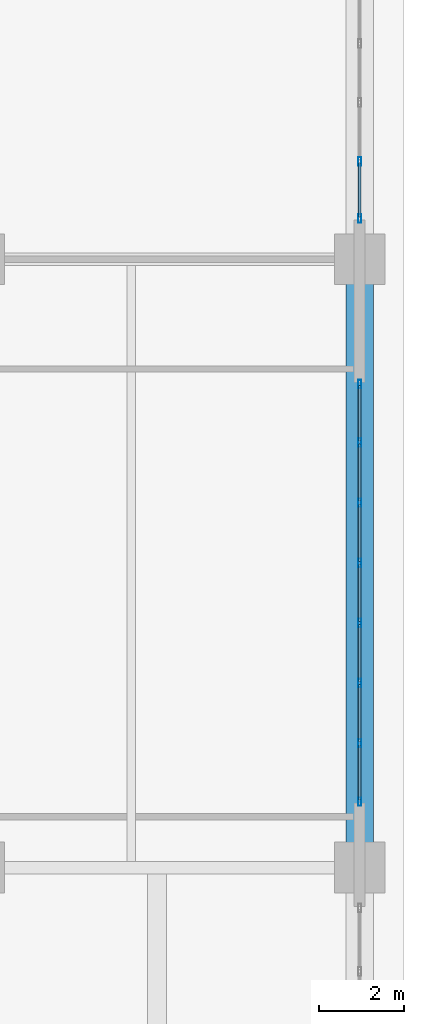
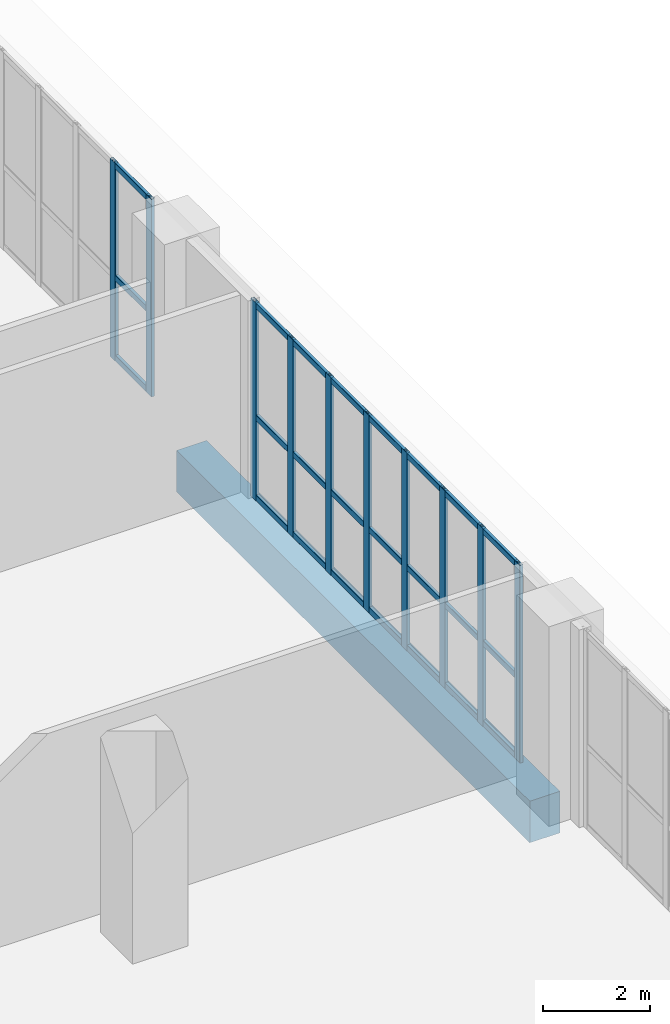
# One storey, part 22 of 37: 34 members, 1 beam, 2 elements without a shape of their own.
"""IFC4 building model written with IfcOpenShell, lengths in metres."""

from ifc_helpers import new_model, si_unit, direction, frame, origin, origin_2d, place, context, subcontext, project, spatial, rectangle, hollow_rectangle, extrude, material, layer, layer_set, material_profile, profile_set, type_object, element, aggregate, save


model = new_model("IFC4")

# Units and contexts
model_context = context("Model", 3, precision=1e-05, world=origin(), true_north=direction((0.0, 1.0)))
body_context = subcontext(model_context, "Body", "Model", "MODEL_VIEW")
ifc_project = project(units=[si_unit("LENGTHUNIT", "METRE"), si_unit("AREAUNIT", "SQUARE_METRE"), si_unit("VOLUMEUNIT", "CUBIC_METRE"), si_unit("PLANEANGLEUNIT", "RADIAN"), si_unit("MASSUNIT", "GRAM", prefix="KILO")], contexts=[model_context])

# Site, building, storey
site_placement = place(None, origin())
site = spatial("IfcSite", under=ifc_project, at=site_placement, CompositionType="ELEMENT")
building_placement = place(site_placement, origin())
building = spatial("IfcBuilding", under=site, at=building_placement, Name="Kaelvorn Grand Hotel", CompositionType="ELEMENT")
storey_placement = place(building_placement, frame((0.0, 0.0, 130.550048828125)))
storey = spatial("IfcBuildingStorey", under=building, at=storey_placement, Name="L31", CompositionType="ELEMENT", Elevation=130.550048828125)

# Beam
ifc_material_1 = material(Name="Concrete C60/75", Category="concrete")
ifc_material_profile_1 = material_profile(ifc_material_1, rectangle(XDim=0.64990234375, YDim=0.949951171875, at=origin_2d()), Name="RC SPANDREL 650x950")
ifc_profile_set_1 = profile_set([ifc_material_profile_1], Name="Concrete C60/75")
beam_type = type_object("IfcBeamType", Name="BM-SP-650x950-C60", PredefinedType="SPANDREL", material=ifc_profile_set_1)
beam_placement = place(storey_placement, frame((84.0, 15.5849609375, -0.715087890625), z_axis=(0.0, 1.0, 0.0), x_axis=(-1.0, 0.0, 0.0)))
element("IfcBeam", 1, at=beam_placement, inside=storey, type_object=beam_type, Name="L31 East Perimeter Spandrel 02", PredefinedType="SPANDREL", context=body_context, shape_type="SweptSolid", body=[
    extrude(rectangle(XDim=0.64990234375, YDim=0.949951171875, at=origin_2d()), origin(), (0.0, 0.0, 1.0), 13.22998046875),
])

# Curtain wall, members
ifc_material_2 = material(Name="Anodised Aluminium", Category="aluminium")
ifc_layer = layer(ifc_material_2, 0.199951171875)
ifc_layer_set = layer_set([ifc_layer], Name="Anodised Aluminium")
curtain_wall_type = type_object("IfcCurtainWallType", Name="CW-SYS3", PredefinedType="NOTDEFINED", material=ifc_layer_set)
curtain_wall_1_placement = place(storey_placement, origin())
curtain_wall_1 = element("IfcCurtainWall", 2, at=curtain_wall_1_placement, inside=storey, type_object=curtain_wall_type, Name="L31 Unitised Curtain Wall CW3 (CW-L31-E-02)", PredefinedType="NOTDEFINED")
ifc_material_profile_2 = material_profile(ifc_material_2, hollow_rectangle(XDim=0.074951171875, YDim=0.199951171875, WallThickness=0.00390625, InnerFilletRadius=0.00390625, OuterFilletRadius=0.008056640625, at=origin_2d()), Name="ALU MULL 75x200")
ifc_profile_set_2 = profile_set([ifc_material_profile_2], Name="Anodised Aluminium")
member_type_1 = type_object("IfcMemberType", Name="CW-SYS3-MULL", PredefinedType="MULLION", material=ifc_profile_set_2)
member_1_placement = place(storey_placement, frame((84.0, 16.5576171875, 0.0), z_axis=(0.0, 0.0, 1.0), x_axis=(-1.0, 0.0, 0.0)))
member_1 = element("IfcMember", 3, at=member_1_placement, type_object=member_type_1, Name="CW3 mullion 1", PredefinedType="MULLION", context=body_context, shape_type="SweptSolid", body=[
    extrude(hollow_rectangle(XDim=0.074951171875, YDim=0.199951171875, WallThickness=0.00390625, InnerFilletRadius=0.00390625, OuterFilletRadius=0.008056640625, at=origin_2d()), origin(), (0.0, 0.0, 1.0), 4.52001953125),
])
member_2_placement = place(storey_placement, frame((84.0, 17.94287109375, 0.0), z_axis=(0.0, 0.0, 1.0), x_axis=(-1.0, 0.0, 0.0)))
member_2 = element("IfcMember", 4, at=member_2_placement, type_object=member_type_1, Name="CW3 mullion 2", PredefinedType="MULLION", context=body_context, shape_type="SweptSolid", body=[
    extrude(hollow_rectangle(XDim=0.074951171875, YDim=0.199951171875, WallThickness=0.00390625, InnerFilletRadius=0.00390625, OuterFilletRadius=0.008056640625, at=origin_2d()), origin(), (0.0, 0.0, 1.0), 4.52001953125),
])
member_3_placement = place(storey_placement, frame((84.0, 19.36572265625, 0.0), z_axis=(0.0, 0.0, 1.0), x_axis=(-1.0, 0.0, 0.0)))
member_3 = element("IfcMember", 5, at=member_3_placement, type_object=member_type_1, Name="CW3 mullion 3", PredefinedType="MULLION", context=body_context, shape_type="SweptSolid", body=[
    extrude(hollow_rectangle(XDim=0.074951171875, YDim=0.199951171875, WallThickness=0.00390625, InnerFilletRadius=0.00390625, OuterFilletRadius=0.008056640625, at=origin_2d()), origin(), (0.0, 0.0, 1.0), 4.52001953125),
])
member_4_placement = place(storey_placement, frame((84.0, 20.78857421875, 0.0), z_axis=(0.0, 0.0, 1.0), x_axis=(-1.0, 0.0, 0.0)))
member_4 = element("IfcMember", 6, at=member_4_placement, type_object=member_type_1, Name="CW3 mullion 4", PredefinedType="MULLION", context=body_context, shape_type="SweptSolid", body=[
    extrude(hollow_rectangle(XDim=0.074951171875, YDim=0.199951171875, WallThickness=0.00390625, InnerFilletRadius=0.00390625, OuterFilletRadius=0.008056640625, at=origin_2d()), origin(), (0.0, 0.0, 1.0), 4.52001953125),
])
member_5_placement = place(storey_placement, frame((84.0, 22.21142578125, 0.0), z_axis=(0.0, 0.0, 1.0), x_axis=(-1.0, 0.0, 0.0)))
member_5 = element("IfcMember", 7, at=member_5_placement, type_object=member_type_1, Name="CW3 mullion 5", PredefinedType="MULLION", context=body_context, shape_type="SweptSolid", body=[
    extrude(hollow_rectangle(XDim=0.074951171875, YDim=0.199951171875, WallThickness=0.00390625, InnerFilletRadius=0.00390625, OuterFilletRadius=0.008056640625, at=origin_2d()), origin(), (0.0, 0.0, 1.0), 4.52001953125),
])
member_6_placement = place(storey_placement, frame((84.0, 23.63427734375, 0.0), z_axis=(0.0, 0.0, 1.0), x_axis=(-1.0, 0.0, 0.0)))
member_6 = element("IfcMember", 8, at=member_6_placement, type_object=member_type_1, Name="CW3 mullion 6", PredefinedType="MULLION", context=body_context, shape_type="SweptSolid", body=[
    extrude(hollow_rectangle(XDim=0.074951171875, YDim=0.199951171875, WallThickness=0.00390625, InnerFilletRadius=0.00390625, OuterFilletRadius=0.008056640625, at=origin_2d()), origin(), (0.0, 0.0, 1.0), 4.52001953125),
])
member_7_placement = place(storey_placement, frame((84.0, 25.05712890625, 0.0), z_axis=(0.0, 0.0, 1.0), x_axis=(-1.0, 0.0, 0.0)))
member_7 = element("IfcMember", 9, at=member_7_placement, type_object=member_type_1, Name="CW3 mullion 7", PredefinedType="MULLION", context=body_context, shape_type="SweptSolid", body=[
    extrude(hollow_rectangle(XDim=0.074951171875, YDim=0.199951171875, WallThickness=0.00390625, InnerFilletRadius=0.00390625, OuterFilletRadius=0.008056640625, at=origin_2d()), origin(), (0.0, 0.0, 1.0), 4.52001953125),
])
member_8_placement = place(storey_placement, frame((84.0, 26.4423828125, 0.0), z_axis=(0.0, 0.0, 1.0), x_axis=(-1.0, 0.0, 0.0)))
member_8 = element("IfcMember", 10, at=member_8_placement, type_object=member_type_1, Name="CW3 mullion 8", PredefinedType="MULLION", context=body_context, shape_type="SweptSolid", body=[
    extrude(hollow_rectangle(XDim=0.074951171875, YDim=0.199951171875, WallThickness=0.00390625, InnerFilletRadius=0.00390625, OuterFilletRadius=0.008056640625, at=origin_2d()), origin(), (0.0, 0.0, 1.0), 4.52001953125),
])

curtain_wall_2_placement = place(storey_placement, origin())
curtain_wall_2 = element("IfcCurtainWall", 11, at=curtain_wall_2_placement, inside=storey, type_object=curtain_wall_type, Name="L31 Unitised Curtain Wall CW3 (CW-L31-E-03)", PredefinedType="NOTDEFINED")
member_9_placement = place(storey_placement, frame((84.0, 30.357421875, 0.0), z_axis=(0.0, 0.0, 1.0), x_axis=(-1.0, 0.0, 0.0)))
member_9 = element("IfcMember", 12, at=member_9_placement, type_object=member_type_1, Name="CW3 mullion 1", PredefinedType="MULLION", context=body_context, shape_type="SweptSolid", body=[
    extrude(hollow_rectangle(XDim=0.074951171875, YDim=0.199951171875, WallThickness=0.00390625, InnerFilletRadius=0.00390625, OuterFilletRadius=0.008056640625, at=origin_2d()), origin(), (0.0, 0.0, 1.0), 4.52001953125),
])
member_10_placement = place(storey_placement, frame((84.0, 31.71337890625, 0.0), z_axis=(0.0, 0.0, 1.0), x_axis=(-1.0, 0.0, 0.0)))
member_10 = element("IfcMember", 13, at=member_10_placement, type_object=member_type_1, Name="CW3 mullion 2", PredefinedType="MULLION", context=body_context, shape_type="SweptSolid", body=[
    extrude(hollow_rectangle(XDim=0.074951171875, YDim=0.199951171875, WallThickness=0.00390625, InnerFilletRadius=0.00390625, OuterFilletRadius=0.008056640625, at=origin_2d()), origin(), (0.0, 0.0, 1.0), 4.52001953125),
])

# Member
ifc_material_profile_3 = material_profile(ifc_material_2, hollow_rectangle(XDim=0.070068359375, YDim=0.135009765625, WallThickness=0.00341796875, InnerFilletRadius=0.00341796875, OuterFilletRadius=0.007080078125, at=origin_2d()), Name="ALU TRAN 70x135")
ifc_profile_set_3 = profile_set([ifc_material_profile_3], Name="Anodised Aluminium")
member_type_2 = type_object("IfcMemberType", Name="CW-SYS3-TRAN", PredefinedType="NOTDEFINED", material=ifc_profile_set_3)
member_11_placement = place(storey_placement, frame((84.0, 16.594970703125, 0.0673828125), z_axis=(0.0, 1.0, 0.0), x_axis=(-1.0, 0.0, 0.0)))
member_11 = element("IfcMember", 14, at=member_11_placement, type_object=member_type_2, Name="CW3 transom 1.1", ObjectType="TRANSOM", PredefinedType="USERDEFINED", context=body_context, shape_type="SweptSolid", body=[
    extrude(hollow_rectangle(XDim=0.070068359375, YDim=0.135009765625, WallThickness=0.00341796875, InnerFilletRadius=0.00341796875, OuterFilletRadius=0.007080078125, at=origin_2d()), origin(), (0.0, 0.0, 1.0), 1.310302734375),
])

member_12_placement = place(storey_placement, frame((84.0, 16.594970703125, 1.8984375), z_axis=(0.0, 1.0, 0.0), x_axis=(-1.0, 0.0, 0.0)))
member_12 = element("IfcMember", 15, at=member_12_placement, type_object=member_type_2, Name="CW3 transom 1.2", ObjectType="TRANSOM", PredefinedType="USERDEFINED", context=body_context, shape_type="SweptSolid", body=[
    extrude(hollow_rectangle(XDim=0.070068359375, YDim=0.135009765625, WallThickness=0.00341796875, InnerFilletRadius=0.00341796875, OuterFilletRadius=0.007080078125, at=origin_2d()), origin(), (0.0, 0.0, 1.0), 1.310302734375),
])

member_13_placement = place(storey_placement, frame((84.0, 16.594970703125, 4.452392578125), z_axis=(0.0, 1.0, 0.0), x_axis=(-1.0, 0.0, 0.0)))
member_13 = element("IfcMember", 16, at=member_13_placement, type_object=member_type_2, Name="CW3 transom 1.3", ObjectType="TRANSOM", PredefinedType="USERDEFINED", context=body_context, shape_type="SweptSolid", body=[
    extrude(hollow_rectangle(XDim=0.070068359375, YDim=0.135009765625, WallThickness=0.00341796875, InnerFilletRadius=0.00341796875, OuterFilletRadius=0.007080078125, at=origin_2d()), origin(), (0.0, 0.0, 1.0), 1.310302734375),
])

member_14_placement = place(storey_placement, frame((84.0, 17.98046875, 0.0673828125), z_axis=(0.0, 1.0, 0.0), x_axis=(-1.0, 0.0, 0.0)))
member_14 = element("IfcMember", 17, at=member_14_placement, type_object=member_type_2, Name="CW3 transom 2.1", ObjectType="TRANSOM", PredefinedType="USERDEFINED", context=body_context, shape_type="SweptSolid", body=[
    extrude(hollow_rectangle(XDim=0.070068359375, YDim=0.135009765625, WallThickness=0.00341796875, InnerFilletRadius=0.00341796875, OuterFilletRadius=0.007080078125, at=origin_2d()), origin(), (0.0, 0.0, 1.0), 1.34765625),
])

member_15_placement = place(storey_placement, frame((84.0, 17.98046875, 1.8984375), z_axis=(0.0, 1.0, 0.0), x_axis=(-1.0, 0.0, 0.0)))
member_15 = element("IfcMember", 18, at=member_15_placement, type_object=member_type_2, Name="CW3 transom 2.2", ObjectType="TRANSOM", PredefinedType="USERDEFINED", context=body_context, shape_type="SweptSolid", body=[
    extrude(hollow_rectangle(XDim=0.070068359375, YDim=0.135009765625, WallThickness=0.00341796875, InnerFilletRadius=0.00341796875, OuterFilletRadius=0.007080078125, at=origin_2d()), origin(), (0.0, 0.0, 1.0), 1.34765625),
])

member_16_placement = place(storey_placement, frame((84.0, 17.98046875, 4.452392578125), z_axis=(0.0, 1.0, 0.0), x_axis=(-1.0, 0.0, 0.0)))
member_16 = element("IfcMember", 19, at=member_16_placement, type_object=member_type_2, Name="CW3 transom 2.3", ObjectType="TRANSOM", PredefinedType="USERDEFINED", context=body_context, shape_type="SweptSolid", body=[
    extrude(hollow_rectangle(XDim=0.070068359375, YDim=0.135009765625, WallThickness=0.00341796875, InnerFilletRadius=0.00341796875, OuterFilletRadius=0.007080078125, at=origin_2d()), origin(), (0.0, 0.0, 1.0), 1.34765625),
])

member_17_placement = place(storey_placement, frame((84.0, 19.4033203125, 0.0673828125), z_axis=(0.0, 1.0, 0.0), x_axis=(-1.0, 0.0, 0.0)))
member_17 = element("IfcMember", 20, at=member_17_placement, type_object=member_type_2, Name="CW3 transom 3.1", ObjectType="TRANSOM", PredefinedType="USERDEFINED", context=body_context, shape_type="SweptSolid", body=[
    extrude(hollow_rectangle(XDim=0.070068359375, YDim=0.135009765625, WallThickness=0.00341796875, InnerFilletRadius=0.00341796875, OuterFilletRadius=0.007080078125, at=origin_2d()), origin(), (0.0, 0.0, 1.0), 1.34765625),
])

member_18_placement = place(storey_placement, frame((84.0, 19.4033203125, 1.8984375), z_axis=(0.0, 1.0, 0.0), x_axis=(-1.0, 0.0, 0.0)))
member_18 = element("IfcMember", 21, at=member_18_placement, type_object=member_type_2, Name="CW3 transom 3.2", ObjectType="TRANSOM", PredefinedType="USERDEFINED", context=body_context, shape_type="SweptSolid", body=[
    extrude(hollow_rectangle(XDim=0.070068359375, YDim=0.135009765625, WallThickness=0.00341796875, InnerFilletRadius=0.00341796875, OuterFilletRadius=0.007080078125, at=origin_2d()), origin(), (0.0, 0.0, 1.0), 1.34765625),
])

member_19_placement = place(storey_placement, frame((84.0, 19.4033203125, 4.452392578125), z_axis=(0.0, 1.0, 0.0), x_axis=(-1.0, 0.0, 0.0)))
member_19 = element("IfcMember", 22, at=member_19_placement, type_object=member_type_2, Name="CW3 transom 3.3", ObjectType="TRANSOM", PredefinedType="USERDEFINED", context=body_context, shape_type="SweptSolid", body=[
    extrude(hollow_rectangle(XDim=0.070068359375, YDim=0.135009765625, WallThickness=0.00341796875, InnerFilletRadius=0.00341796875, OuterFilletRadius=0.007080078125, at=origin_2d()), origin(), (0.0, 0.0, 1.0), 1.34765625),
])

member_20_placement = place(storey_placement, frame((84.0, 20.826171875, 0.0673828125), z_axis=(0.0, 1.0, 0.0), x_axis=(-1.0, 0.0, 0.0)))
member_20 = element("IfcMember", 23, at=member_20_placement, type_object=member_type_2, Name="CW3 transom 4.1", ObjectType="TRANSOM", PredefinedType="USERDEFINED", context=body_context, shape_type="SweptSolid", body=[
    extrude(hollow_rectangle(XDim=0.070068359375, YDim=0.135009765625, WallThickness=0.00341796875, InnerFilletRadius=0.00341796875, OuterFilletRadius=0.007080078125, at=origin_2d()), origin(), (0.0, 0.0, 1.0), 1.34765625),
])

member_21_placement = place(storey_placement, frame((84.0, 20.826171875, 1.8984375), z_axis=(0.0, 1.0, 0.0), x_axis=(-1.0, 0.0, 0.0)))
member_21 = element("IfcMember", 24, at=member_21_placement, type_object=member_type_2, Name="CW3 transom 4.2", ObjectType="TRANSOM", PredefinedType="USERDEFINED", context=body_context, shape_type="SweptSolid", body=[
    extrude(hollow_rectangle(XDim=0.070068359375, YDim=0.135009765625, WallThickness=0.00341796875, InnerFilletRadius=0.00341796875, OuterFilletRadius=0.007080078125, at=origin_2d()), origin(), (0.0, 0.0, 1.0), 1.34765625),
])

member_22_placement = place(storey_placement, frame((84.0, 20.826171875, 4.452392578125), z_axis=(0.0, 1.0, 0.0), x_axis=(-1.0, 0.0, 0.0)))
member_22 = element("IfcMember", 25, at=member_22_placement, type_object=member_type_2, Name="CW3 transom 4.3", ObjectType="TRANSOM", PredefinedType="USERDEFINED", context=body_context, shape_type="SweptSolid", body=[
    extrude(hollow_rectangle(XDim=0.070068359375, YDim=0.135009765625, WallThickness=0.00341796875, InnerFilletRadius=0.00341796875, OuterFilletRadius=0.007080078125, at=origin_2d()), origin(), (0.0, 0.0, 1.0), 1.34765625),
])

member_23_placement = place(storey_placement, frame((84.0, 22.2490234375, 0.0673828125), z_axis=(0.0, 1.0, 0.0), x_axis=(-1.0, 0.0, 0.0)))
member_23 = element("IfcMember", 26, at=member_23_placement, type_object=member_type_2, Name="CW3 transom 5.1", ObjectType="TRANSOM", PredefinedType="USERDEFINED", context=body_context, shape_type="SweptSolid", body=[
    extrude(hollow_rectangle(XDim=0.070068359375, YDim=0.135009765625, WallThickness=0.00341796875, InnerFilletRadius=0.00341796875, OuterFilletRadius=0.007080078125, at=origin_2d()), origin(), (0.0, 0.0, 1.0), 1.34765625),
])

member_24_placement = place(storey_placement, frame((84.0, 22.2490234375, 1.8984375), z_axis=(0.0, 1.0, 0.0), x_axis=(-1.0, 0.0, 0.0)))
member_24 = element("IfcMember", 27, at=member_24_placement, type_object=member_type_2, Name="CW3 transom 5.2", ObjectType="TRANSOM", PredefinedType="USERDEFINED", context=body_context, shape_type="SweptSolid", body=[
    extrude(hollow_rectangle(XDim=0.070068359375, YDim=0.135009765625, WallThickness=0.00341796875, InnerFilletRadius=0.00341796875, OuterFilletRadius=0.007080078125, at=origin_2d()), origin(), (0.0, 0.0, 1.0), 1.34765625),
])

member_25_placement = place(storey_placement, frame((84.0, 22.2490234375, 4.452392578125), z_axis=(0.0, 1.0, 0.0), x_axis=(-1.0, 0.0, 0.0)))
member_25 = element("IfcMember", 28, at=member_25_placement, type_object=member_type_2, Name="CW3 transom 5.3", ObjectType="TRANSOM", PredefinedType="USERDEFINED", context=body_context, shape_type="SweptSolid", body=[
    extrude(hollow_rectangle(XDim=0.070068359375, YDim=0.135009765625, WallThickness=0.00341796875, InnerFilletRadius=0.00341796875, OuterFilletRadius=0.007080078125, at=origin_2d()), origin(), (0.0, 0.0, 1.0), 1.34765625),
])

member_26_placement = place(storey_placement, frame((84.0, 23.671875, 0.0673828125), z_axis=(0.0, 1.0, 0.0), x_axis=(-1.0, 0.0, 0.0)))
member_26 = element("IfcMember", 29, at=member_26_placement, type_object=member_type_2, Name="CW3 transom 6.1", ObjectType="TRANSOM", PredefinedType="USERDEFINED", context=body_context, shape_type="SweptSolid", body=[
    extrude(hollow_rectangle(XDim=0.070068359375, YDim=0.135009765625, WallThickness=0.00341796875, InnerFilletRadius=0.00341796875, OuterFilletRadius=0.007080078125, at=origin_2d()), origin(), (0.0, 0.0, 1.0), 1.34765625),
])

member_27_placement = place(storey_placement, frame((84.0, 23.671875, 1.8984375), z_axis=(0.0, 1.0, 0.0), x_axis=(-1.0, 0.0, 0.0)))
member_27 = element("IfcMember", 30, at=member_27_placement, type_object=member_type_2, Name="CW3 transom 6.2", ObjectType="TRANSOM", PredefinedType="USERDEFINED", context=body_context, shape_type="SweptSolid", body=[
    extrude(hollow_rectangle(XDim=0.070068359375, YDim=0.135009765625, WallThickness=0.00341796875, InnerFilletRadius=0.00341796875, OuterFilletRadius=0.007080078125, at=origin_2d()), origin(), (0.0, 0.0, 1.0), 1.34765625),
])

member_28_placement = place(storey_placement, frame((84.0, 23.671875, 4.452392578125), z_axis=(0.0, 1.0, 0.0), x_axis=(-1.0, 0.0, 0.0)))
member_28 = element("IfcMember", 31, at=member_28_placement, type_object=member_type_2, Name="CW3 transom 6.3", ObjectType="TRANSOM", PredefinedType="USERDEFINED", context=body_context, shape_type="SweptSolid", body=[
    extrude(hollow_rectangle(XDim=0.070068359375, YDim=0.135009765625, WallThickness=0.00341796875, InnerFilletRadius=0.00341796875, OuterFilletRadius=0.007080078125, at=origin_2d()), origin(), (0.0, 0.0, 1.0), 1.34765625),
])

member_29_placement = place(storey_placement, frame((84.0, 25.0947265625, 0.0673828125), z_axis=(0.0, 1.0, 0.0), x_axis=(-1.0, 0.0, 0.0)))
member_29 = element("IfcMember", 32, at=member_29_placement, type_object=member_type_2, Name="CW3 transom 7.1", ObjectType="TRANSOM", PredefinedType="USERDEFINED", context=body_context, shape_type="SweptSolid", body=[
    extrude(hollow_rectangle(XDim=0.070068359375, YDim=0.135009765625, WallThickness=0.00341796875, InnerFilletRadius=0.00341796875, OuterFilletRadius=0.007080078125, at=origin_2d()), origin(), (0.0, 0.0, 1.0), 1.310302734375),
])

member_30_placement = place(storey_placement, frame((84.0, 25.0947265625, 1.8984375), z_axis=(0.0, 1.0, 0.0), x_axis=(-1.0, 0.0, 0.0)))
member_30 = element("IfcMember", 33, at=member_30_placement, type_object=member_type_2, Name="CW3 transom 7.2", ObjectType="TRANSOM", PredefinedType="USERDEFINED", context=body_context, shape_type="SweptSolid", body=[
    extrude(hollow_rectangle(XDim=0.070068359375, YDim=0.135009765625, WallThickness=0.00341796875, InnerFilletRadius=0.00341796875, OuterFilletRadius=0.007080078125, at=origin_2d()), origin(), (0.0, 0.0, 1.0), 1.310302734375),
])

member_31_placement = place(storey_placement, frame((84.0, 25.0947265625, 4.452392578125), z_axis=(0.0, 1.0, 0.0), x_axis=(-1.0, 0.0, 0.0)))
member_31 = element("IfcMember", 34, at=member_31_placement, type_object=member_type_2, Name="CW3 transom 7.3", ObjectType="TRANSOM", PredefinedType="USERDEFINED", context=body_context, shape_type="SweptSolid", body=[
    extrude(hollow_rectangle(XDim=0.070068359375, YDim=0.135009765625, WallThickness=0.00341796875, InnerFilletRadius=0.00341796875, OuterFilletRadius=0.007080078125, at=origin_2d()), origin(), (0.0, 0.0, 1.0), 1.310302734375),
])

aggregate(curtain_wall_1, [member_1, member_2, member_3, member_4, member_5, member_6, member_7, member_8, member_11, member_12, member_13, member_14, member_15, member_16, member_17, member_18, member_19, member_20, member_21, member_22, member_23, member_24, member_25, member_26, member_27, member_28, member_29, member_30, member_31])

member_32_placement = place(storey_placement, frame((84.0, 30.39501953125, 0.0673828125), z_axis=(0.0, 1.0, 0.0), x_axis=(-1.0, 0.0, 0.0)))
member_32 = element("IfcMember", 35, at=member_32_placement, type_object=member_type_2, Name="CW3 transom 1.1", ObjectType="TRANSOM", PredefinedType="USERDEFINED", context=body_context, shape_type="SweptSolid", body=[
    extrude(hollow_rectangle(XDim=0.070068359375, YDim=0.135009765625, WallThickness=0.00341796875, InnerFilletRadius=0.00341796875, OuterFilletRadius=0.007080078125, at=origin_2d()), origin(), (0.0, 0.0, 1.0), 1.28076171875),
])

member_33_placement = place(storey_placement, frame((84.0, 30.39501953125, 1.8984375), z_axis=(0.0, 1.0, 0.0), x_axis=(-1.0, 0.0, 0.0)))
member_33 = element("IfcMember", 36, at=member_33_placement, type_object=member_type_2, Name="CW3 transom 1.2", ObjectType="TRANSOM", PredefinedType="USERDEFINED", context=body_context, shape_type="SweptSolid", body=[
    extrude(hollow_rectangle(XDim=0.070068359375, YDim=0.135009765625, WallThickness=0.00341796875, InnerFilletRadius=0.00341796875, OuterFilletRadius=0.007080078125, at=origin_2d()), origin(), (0.0, 0.0, 1.0), 1.28076171875),
])

member_34_placement = place(storey_placement, frame((84.0, 30.39501953125, 4.452392578125), z_axis=(0.0, 1.0, 0.0), x_axis=(-1.0, 0.0, 0.0)))
member_34 = element("IfcMember", 37, at=member_34_placement, type_object=member_type_2, Name="CW3 transom 1.3", ObjectType="TRANSOM", PredefinedType="USERDEFINED", context=body_context, shape_type="SweptSolid", body=[
    extrude(hollow_rectangle(XDim=0.070068359375, YDim=0.135009765625, WallThickness=0.00341796875, InnerFilletRadius=0.00341796875, OuterFilletRadius=0.007080078125, at=origin_2d()), origin(), (0.0, 0.0, 1.0), 1.28076171875),
])

aggregate(curtain_wall_2, [member_9, member_10, member_32, member_33, member_34])

save(model, "model.ifc")
